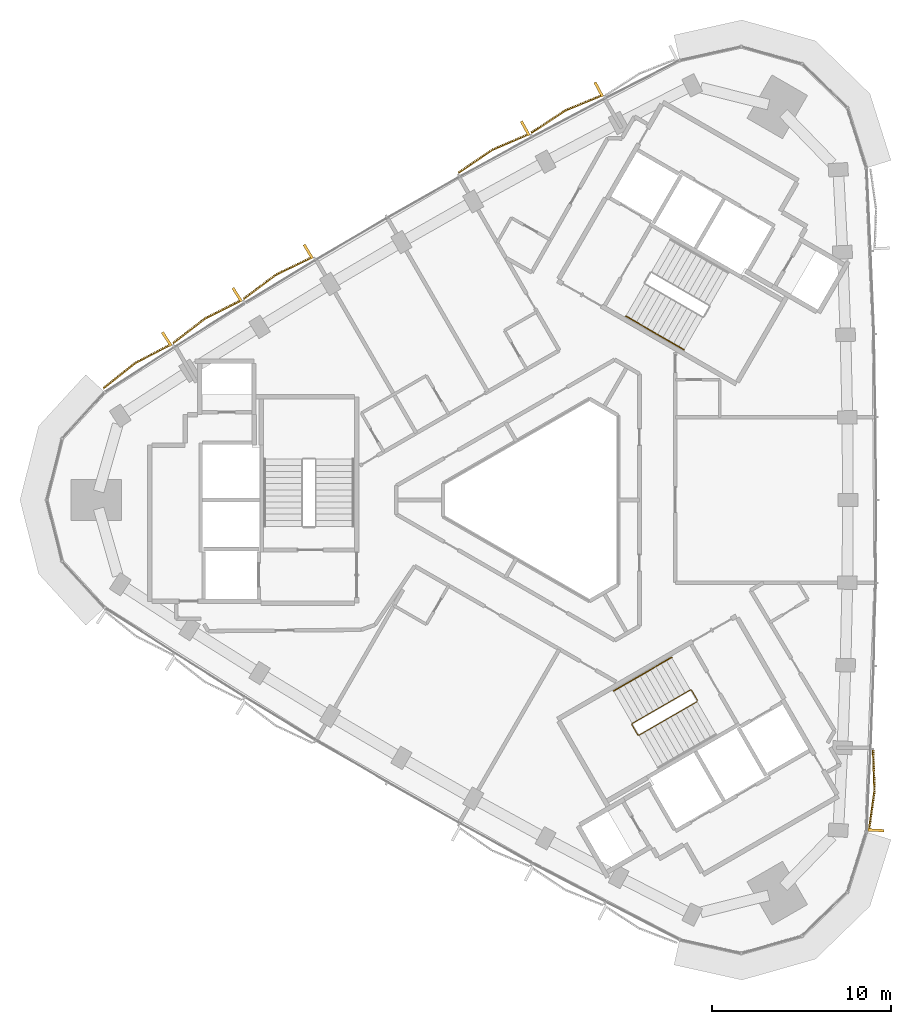
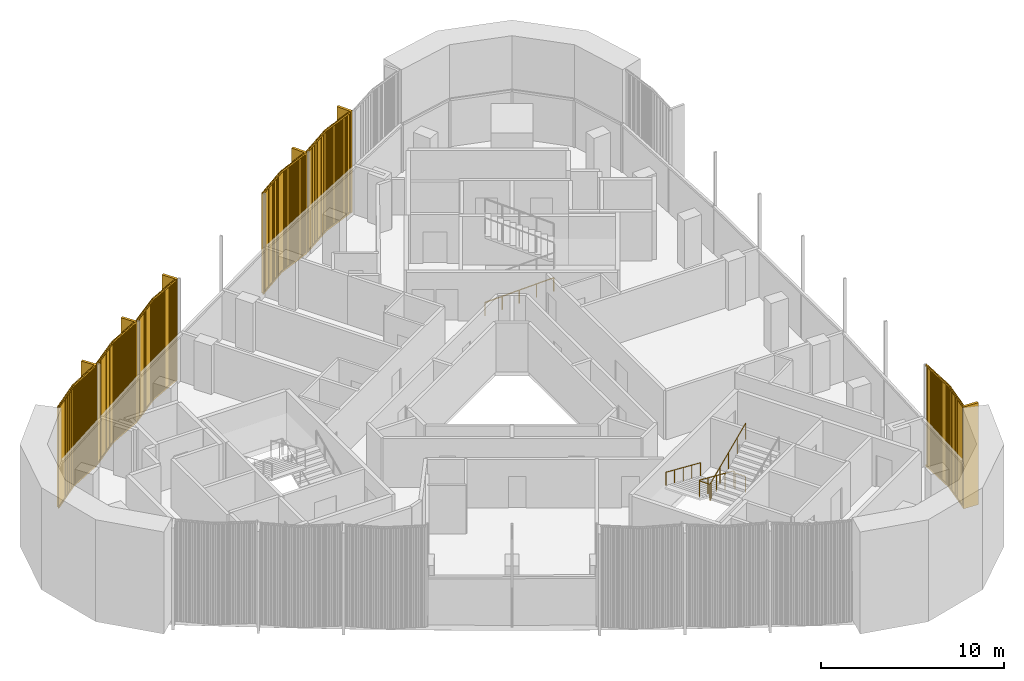
# One storey, part 13 of 14: 6 coverings, 3 railings.
"""IFC4 building model written with IfcOpenShell, lengths in metres."""

from ifc_helpers import new_model, si_unit, direction, frame, frame_2d, origin, origin_2d, place, context, subcontext, project, spatial, rectangle, circle, extrude, source, transform, mapped, material, type_object, element, save


model = new_model("IFC4")

# Units and contexts
model_context = context("Model", 3, precision=1e-05, world=origin(), true_north=direction((0.0, 1.0)))
body_context = subcontext(model_context, "Body", "Model", "MODEL_VIEW")
ifc_project = project(units=[si_unit("LENGTHUNIT", "METRE"), si_unit("AREAUNIT", "SQUARE_METRE"), si_unit("VOLUMEUNIT", "CUBIC_METRE"), si_unit("PLANEANGLEUNIT", "RADIAN"), si_unit("MASSUNIT", "GRAM", prefix="KILO")], contexts=[model_context])

# Site, building, storey
site_placement = place(None, origin())
site = spatial("IfcSite", under=ifc_project, at=site_placement, CompositionType="ELEMENT")
building_placement = place(site_placement, origin())
building = spatial("IfcBuilding", under=site, at=building_placement, Name="Tamra Quay Hotel Tower", CompositionType="ELEMENT")
storey_placement = place(building_placement, frame((0.0, 0.0, 250.199951171875)))
storey = spatial("IfcBuildingStorey", under=building, at=storey_placement, Name="L63", CompositionType="ELEMENT", Elevation=250.199951171875)

# Railings
ifc_material_1 = material(Name="Stair guard 1100")
railing_type_1 = type_object("IfcRailingType", Name="Stair guard 1100", PredefinedType="GUARDRAIL", material=ifc_material_1)
railing_1_placement = place(storey_placement, frame((8.245849609375, -11.221923828125, 0.0)))
element("IfcRailing", 1, at=railing_1_placement, inside=storey, type_object=railing_type_1, Name="GR", PredefinedType="GUARDRAIL", context=body_context, shape_type="SweptSolid", body=[
    extrude(circle(Radius=0.02392578125, at=origin_2d()), frame((0.0, 0.0, 1.076171875), z_axis=(-0.500043078269, 0.866000531106, 0.0), x_axis=(-0.866000531106, -0.500043078269, 0.0)), (0.0, 0.0, 1.0), 0.6591796875),
    extrude(circle(Radius=0.02392578125, at=origin_2d()), frame((-0.32958984375, 0.57080078125, 1.076171875), z_axis=(-0.411831509231, 0.110312011401, 0.90455849349), x_axis=(-0.258736085224, -0.965948051503, 0.0)), (0.0, 0.0, 1.0), 0.166015625),
    extrude(circle(Radius=0.02392578125, at=origin_2d()), frame((-0.39794921875, 0.589111328125, 1.22607421875), z_axis=(-0.793100512587, -0.457912285461, 0.401631567183), x_axis=(0.500012686397, -0.866018079166, 0.0)), (0.0, 0.0, 1.0), 4.10791015625),
    extrude(circle(Radius=0.02392578125, at=origin_2d()), frame((-3.656005859375, -1.2919921875, 2.8759765625), z_axis=(-0.256368644879, -0.966579080015, 0.0), x_axis=(0.966579080015, -0.256368644879, 0.0)), (0.0, 0.0, 1.0), 0.070556640625),
    extrude(circle(Radius=0.02392578125, at=origin_2d()), frame((-3.674072265625, -1.360107421875, 2.8759765625), z_axis=(0.499765215335, -0.866160914346, 0.0), x_axis=(0.866160914346, 0.499765215335, 0.0)), (0.0, 0.0, 1.0), 0.658935546875),
    extrude(circle(Radius=0.02392578125, at=origin_2d()), frame((-3.3447265625, -1.930908203125, 2.8759765625), z_axis=(0.41238007866, -0.110458949641, 0.904290601062), x_axis=(0.258736085224, 0.965948051503, 0.0)), (0.0, 0.0, 1.0), 0.165771484375),
    extrude(circle(Radius=0.02392578125, at=origin_2d()), frame((-3.2763671875, -1.94921875, 3.02587890625), z_axis=(0.793081581205, 0.457901355053, 0.401681409319), x_axis=(-0.500012686397, 0.866018079166, 0.0)), (0.0, 0.0, 1.0), 4.108154296875),
    extrude(circle(Radius=0.02099609375, at=origin_2d()), origin(), (0.0, 0.0, 1.0), 1.052001953125),
    extrude(circle(Radius=0.02099609375, at=origin_2d()), frame((-0.32958984375, 0.57080078125, 0.0)), (0.0, 0.0, 1.0), 1.052001953125),
    extrude(circle(Radius=0.02099609375, at=origin_2d()), frame((-0.39794921875, 0.589111328125, 0.150146484375)), (0.0, 0.0, 1.0), 1.052001953125),
    extrude(circle(Radius=0.02099609375, at=origin_2d()), frame((-1.21240234375, 0.118896484375, 0.5625)), (0.0, 0.0, 1.0), 1.052001953125),
    extrude(circle(Radius=0.02099609375, at=origin_2d()), frame((-2.02685546875, -0.3515625, 0.97509765625)), (0.0, 0.0, 1.0), 1.052001953125),
    extrude(circle(Radius=0.02099609375, at=origin_2d()), frame((-2.841552734375, -0.82177734375, 1.3876953125)), (0.0, 0.0, 1.0), 1.052001953125),
    extrude(circle(Radius=0.02099609375, at=origin_2d()), frame((-3.656005859375, -1.2919921875, 1.800048828125)), (0.0, 0.0, 1.0), 1.052001953125),
    extrude(circle(Radius=0.02099609375, at=origin_2d()), frame((-3.674072265625, -1.360107421875, 1.800048828125)), (0.0, 0.0, 1.0), 1.052001953125),
    extrude(circle(Radius=0.02099609375, at=origin_2d()), frame((-3.3447265625, -1.930908203125, 1.800048828125)), (0.0, 0.0, 1.0), 1.052001953125),
    extrude(circle(Radius=0.02099609375, at=origin_2d()), frame((-3.2763671875, -1.94921875, 1.949951171875)), (0.0, 0.0, 1.0), 1.052001953125),
    extrude(circle(Radius=0.02099609375, at=origin_2d()), frame((-2.4619140625, -1.47900390625, 2.362548828125)), (0.0, 0.0, 1.0), 1.052001953125),
    extrude(circle(Radius=0.02099609375, at=origin_2d()), frame((-1.6474609375, -1.0087890625, 2.77490234375)), (0.0, 0.0, 1.0), 1.052001953125),
    extrude(circle(Radius=0.02099609375, at=origin_2d()), frame((-0.832763671875, -0.538330078125, 3.1875)), (0.0, 0.0, 1.0), 1.052001953125),
    extrude(circle(Radius=0.02099609375, at=origin_2d()), frame((-0.018310546875, -0.068115234375, 3.60009765625)), (0.0, 0.0, 1.0), 1.052001953125),
])
ifc_material_2 = material(Name="Stair handrail 900")
railing_type_2 = type_object("IfcRailingType", Name="Stair handrail 900", PredefinedType="HANDRAIL", material=ifc_material_2)
railing_2_placement = place(storey_placement, frame((4.234375, 10.294189453125, 0.150146484375)))
element("IfcRailing", 2, at=railing_2_placement, inside=storey, type_object=railing_type_2, Name="HR", PredefinedType="HANDRAIL", context=body_context, shape_type="SweptSolid", body=[
    extrude(circle(Radius=0.02392578125, at=origin_2d()), frame((0.0, 0.0, 0.8759765625), z_axis=(0.793122095483, -0.45786531462, 0.401642496911), x_axis=(0.499964013922, 0.86604617936, 0.0)), (0.0, 0.0, 1.0), 4.10791015625),
    extrude(circle(Radius=0.02099609375, at=origin_2d()), origin(), (0.0, 0.0, 1.0), 0.851806640625),
    extrude(circle(Radius=0.02099609375, at=origin_2d()), frame((0.814453125, -0.47021484375, 0.41259765625)), (0.0, 0.0, 1.0), 0.851806640625),
    extrude(circle(Radius=0.02099609375, at=origin_2d()), frame((1.62890625, -0.9404296875, 0.824951171875)), (0.0, 0.0, 1.0), 0.851806640625),
    extrude(circle(Radius=0.02099609375, at=origin_2d()), frame((2.443603515625, -1.41064453125, 1.2373046875)), (0.0, 0.0, 1.0), 0.851806640625),
    extrude(circle(Radius=0.02099609375, at=origin_2d()), frame((3.258056640625, -1.880859375, 1.64990234375)), (0.0, 0.0, 1.0), 0.851806640625),
])
railing_3_placement = place(storey_placement, frame((6.7978515625, -8.814208984375, 0.150146484375)))
element("IfcRailing", 3, at=railing_3_placement, inside=storey, type_object=railing_type_2, Name="HR", PredefinedType="HANDRAIL", context=body_context, shape_type="SweptSolid", body=[
    extrude(circle(Radius=0.02392578125, at=origin_2d()), frame((0.0, 0.0, 0.8759765625), z_axis=(-0.79310004713, -0.457886897714, 0.401661429744), x_axis=(0.499992114976, -0.866029956157, 0.0)), (0.0, 0.0, 1.0), 4.107666015625),
    extrude(circle(Radius=0.02099609375, at=origin_2d()), origin(), (0.0, 0.0, 1.0), 0.851806640625),
    extrude(circle(Radius=0.02099609375, at=origin_2d()), frame((-0.814453125, -0.47021484375, 0.41259765625)), (0.0, 0.0, 1.0), 0.851806640625),
    extrude(circle(Radius=0.02099609375, at=origin_2d()), frame((-1.62890625, -0.9404296875, 0.824951171875)), (0.0, 0.0, 1.0), 0.851806640625),
    extrude(circle(Radius=0.02099609375, at=origin_2d()), frame((-2.443359375, -1.41064453125, 1.2373046875)), (0.0, 0.0, 1.0), 0.851806640625),
    extrude(circle(Radius=0.02099609375, at=origin_2d()), frame((-3.2578125, -1.880859375, 1.64990234375)), (0.0, 0.0, 1.0), 0.851806640625),
])

# Coverings
ifc_material_3 = material(Name="Terracotta baguette extruded", Category="masonry")
covering_type_1 = type_object("IfcCoveringType", Name="BAGUETTE SCREEN E-V H6800", PredefinedType="USERDEFINED", material=ifc_material_3)
shared_shape_1 = source(origin(), body_context, "Body", "SweptSolid", [
    extrude(rectangle(XDim=2.291259765625, YDim=0.06005859375, at=frame_2d((1.1455078125, 0.030029296875))), frame((-2.287841796875, -0.057861328125, -0.1201171875), z_axis=(0.0, 0.0, 1.0), x_axis=(0.996194698092, -0.087155742748, 0.0)), (0.0, 0.0, 1.0), 0.1201171875),
    extrude(rectangle(XDim=2.291259765625, YDim=0.06005859375, at=frame_2d((1.1455078125, 0.030029296875))), frame((-2.287841796875, -0.057861328125, -6.800048828125), z_axis=(0.0, 0.0, 1.0), x_axis=(0.996194698092, -0.087155742748, 0.0)), (0.0, 0.0, 1.0), 0.1201171875),
    extrude(rectangle(XDim=0.070068359375, YDim=0.10009765625, at=frame_2d((0.03515625, 0.050048828125))), frame((-2.267822265625, -0.13232421875, -6.739990234375)), (0.0, 0.0, 1.0), 6.679931640625),
    extrude(rectangle(XDim=0.070068359375, YDim=0.10009765625, at=frame_2d((0.03515625, 0.050048828125))), frame((-2.168701171875, -0.14111328125, -6.739990234375)), (0.0, 0.0, 1.0), 6.679931640625),
    extrude(rectangle(XDim=0.070068359375, YDim=0.10009765625, at=frame_2d((0.03515625, 0.050048828125))), frame((-2.0693359375, -0.149658203125, -6.739990234375)), (0.0, 0.0, 1.0), 6.679931640625),
    extrude(rectangle(XDim=0.070068359375, YDim=0.10009765625, at=frame_2d((0.03515625, 0.050048828125))), frame((-1.97021484375, -0.158447265625, -6.739990234375)), (0.0, 0.0, 1.0), 6.679931640625),
    extrude(rectangle(XDim=0.070068359375, YDim=0.10009765625, at=frame_2d((0.03515625, 0.050048828125))), frame((-1.870849609375, -0.1669921875, -6.739990234375)), (0.0, 0.0, 1.0), 6.679931640625),
    extrude(rectangle(XDim=0.070068359375, YDim=0.10009765625, at=frame_2d((0.03515625, 0.050048828125))), frame((-1.771728515625, -0.17578125, -6.739990234375)), (0.0, 0.0, 1.0), 6.679931640625),
    extrude(rectangle(XDim=0.070068359375, YDim=0.10009765625, at=frame_2d((0.03515625, 0.050048828125))), frame((-1.67236328125, -0.184326171875, -6.739990234375)), (0.0, 0.0, 1.0), 6.679931640625),
    extrude(rectangle(XDim=0.070068359375, YDim=0.10009765625, at=frame_2d((0.03515625, 0.050048828125))), frame((-1.5732421875, -0.193115234375, -6.739990234375)), (0.0, 0.0, 1.0), 6.679931640625),
    extrude(rectangle(XDim=0.070068359375, YDim=0.10009765625, at=frame_2d((0.03515625, 0.050048828125))), frame((-1.473876953125, -0.201904296875, -6.739990234375)), (0.0, 0.0, 1.0), 6.679931640625),
    extrude(rectangle(XDim=0.070068359375, YDim=0.10009765625, at=frame_2d((0.03515625, 0.050048828125))), frame((-1.374755859375, -0.21044921875, -6.739990234375)), (0.0, 0.0, 1.0), 6.679931640625),
    extrude(rectangle(XDim=0.070068359375, YDim=0.10009765625, at=frame_2d((0.03515625, 0.050048828125))), frame((-1.275390625, -0.21923828125, -6.739990234375)), (0.0, 0.0, 1.0), 6.679931640625),
    extrude(rectangle(XDim=0.070068359375, YDim=0.10009765625, at=frame_2d((0.03515625, 0.050048828125))), frame((-1.17626953125, -0.227783203125, -6.739990234375)), (0.0, 0.0, 1.0), 6.679931640625),
    extrude(rectangle(XDim=0.070068359375, YDim=0.10009765625, at=frame_2d((0.03515625, 0.050048828125))), frame((-1.076904296875, -0.236572265625, -6.739990234375)), (0.0, 0.0, 1.0), 6.679931640625),
    extrude(rectangle(XDim=0.070068359375, YDim=0.10009765625, at=frame_2d((0.03515625, 0.050048828125))), frame((-0.977783203125, -0.2451171875, -6.739990234375)), (0.0, 0.0, 1.0), 6.679931640625),
    extrude(rectangle(XDim=0.070068359375, YDim=0.10009765625, at=frame_2d((0.03515625, 0.050048828125))), frame((-0.87841796875, -0.25390625, -6.739990234375)), (0.0, 0.0, 1.0), 6.679931640625),
    extrude(rectangle(XDim=0.070068359375, YDim=0.10009765625, at=frame_2d((0.03515625, 0.050048828125))), frame((-0.779296875, -0.2626953125, -6.739990234375)), (0.0, 0.0, 1.0), 6.679931640625),
    extrude(rectangle(XDim=0.070068359375, YDim=0.10009765625, at=frame_2d((0.03515625, 0.050048828125))), frame((-0.679931640625, -0.271240234375, -6.739990234375)), (0.0, 0.0, 1.0), 6.679931640625),
    extrude(rectangle(XDim=0.070068359375, YDim=0.10009765625, at=frame_2d((0.03515625, 0.050048828125))), frame((-0.580810546875, -0.280029296875, -6.739990234375)), (0.0, 0.0, 1.0), 6.679931640625),
    extrude(rectangle(XDim=0.070068359375, YDim=0.10009765625, at=frame_2d((0.03515625, 0.050048828125))), frame((-0.481689453125, -0.28857421875, -6.739990234375)), (0.0, 0.0, 1.0), 6.679931640625),
    extrude(rectangle(XDim=0.070068359375, YDim=0.10009765625, at=frame_2d((0.03515625, 0.050048828125))), frame((-0.38232421875, -0.29736328125, -6.739990234375)), (0.0, 0.0, 1.0), 6.679931640625),
    extrude(rectangle(XDim=0.070068359375, YDim=0.10009765625, at=frame_2d((0.03515625, 0.050048828125))), frame((-0.283203125, -0.305908203125, -6.739990234375)), (0.0, 0.0, 1.0), 6.679931640625),
    extrude(rectangle(XDim=0.070068359375, YDim=0.10009765625, at=frame_2d((0.03515625, 0.050048828125))), frame((-0.183837890625, -0.314697265625, -6.739990234375)), (0.0, 0.0, 1.0), 6.679931640625),
    extrude(rectangle(XDim=0.070068359375, YDim=0.10009765625, at=frame_2d((0.03515625, 0.050048828125))), frame((-0.084716796875, -0.3232421875, -6.739990234375)), (0.0, 0.0, 1.0), 6.679931640625),
    extrude(rectangle(XDim=2.291259765625, YDim=0.06005859375, at=frame_2d((1.1455078125, 0.030029296875))), frame((0.005126953125, -0.257568359375, -0.1201171875), z_axis=(0.0, 0.0, 1.0), x_axis=(0.996194698092, 0.087155742748, 0.0)), (0.0, 0.0, 1.0), 0.1201171875),
    extrude(rectangle(XDim=2.291259765625, YDim=0.06005859375, at=frame_2d((1.1455078125, 0.030029296875))), frame((0.005126953125, -0.257568359375, -6.800048828125), z_axis=(0.0, 0.0, 1.0), x_axis=(0.996194698092, 0.087155742748, 0.0)), (0.0, 0.0, 1.0), 0.1201171875),
    extrude(rectangle(XDim=0.070068359375, YDim=0.10009765625, at=frame_2d((0.03515625, 0.050048828125))), frame((0.0146484375, -0.3232421875, -6.739990234375)), (0.0, 0.0, 1.0), 6.679931640625),
    extrude(rectangle(XDim=0.070068359375, YDim=0.10009765625, at=frame_2d((0.03515625, 0.050048828125))), frame((0.11376953125, -0.314697265625, -6.739990234375)), (0.0, 0.0, 1.0), 6.679931640625),
    extrude(rectangle(XDim=0.070068359375, YDim=0.10009765625, at=frame_2d((0.03515625, 0.050048828125))), frame((0.213134765625, -0.305908203125, -6.739990234375)), (0.0, 0.0, 1.0), 6.679931640625),
    extrude(rectangle(XDim=0.070068359375, YDim=0.10009765625, at=frame_2d((0.03515625, 0.050048828125))), frame((0.312255859375, -0.29736328125, -6.739990234375)), (0.0, 0.0, 1.0), 6.679931640625),
    extrude(rectangle(XDim=0.070068359375, YDim=0.10009765625, at=frame_2d((0.03515625, 0.050048828125))), frame((0.41162109375, -0.28857421875, -6.739990234375)), (0.0, 0.0, 1.0), 6.679931640625),
    extrude(rectangle(XDim=0.070068359375, YDim=0.10009765625, at=frame_2d((0.03515625, 0.050048828125))), frame((0.5107421875, -0.280029296875, -6.739990234375)), (0.0, 0.0, 1.0), 6.679931640625),
    extrude(rectangle(XDim=0.070068359375, YDim=0.10009765625, at=frame_2d((0.03515625, 0.050048828125))), frame((0.610107421875, -0.271240234375, -6.739990234375)), (0.0, 0.0, 1.0), 6.679931640625),
    extrude(rectangle(XDim=0.070068359375, YDim=0.10009765625, at=frame_2d((0.03515625, 0.050048828125))), frame((0.709228515625, -0.2626953125, -6.739990234375)), (0.0, 0.0, 1.0), 6.679931640625),
    extrude(rectangle(XDim=0.070068359375, YDim=0.10009765625, at=frame_2d((0.03515625, 0.050048828125))), frame((0.80859375, -0.25390625, -6.739990234375)), (0.0, 0.0, 1.0), 6.679931640625),
    extrude(rectangle(XDim=0.070068359375, YDim=0.10009765625, at=frame_2d((0.03515625, 0.050048828125))), frame((0.90771484375, -0.2451171875, -6.739990234375)), (0.0, 0.0, 1.0), 6.679931640625),
    extrude(rectangle(XDim=0.070068359375, YDim=0.10009765625, at=frame_2d((0.03515625, 0.050048828125))), frame((1.007080078125, -0.236572265625, -6.739990234375)), (0.0, 0.0, 1.0), 6.679931640625),
    extrude(rectangle(XDim=0.070068359375, YDim=0.10009765625, at=frame_2d((0.03515625, 0.050048828125))), frame((1.106201171875, -0.227783203125, -6.739990234375)), (0.0, 0.0, 1.0), 6.679931640625),
    extrude(rectangle(XDim=0.070068359375, YDim=0.10009765625, at=frame_2d((0.03515625, 0.050048828125))), frame((1.20556640625, -0.21923828125, -6.739990234375)), (0.0, 0.0, 1.0), 6.679931640625),
    extrude(rectangle(XDim=0.070068359375, YDim=0.10009765625, at=frame_2d((0.03515625, 0.050048828125))), frame((1.3046875, -0.21044921875, -6.739990234375)), (0.0, 0.0, 1.0), 6.679931640625),
    extrude(rectangle(XDim=0.070068359375, YDim=0.10009765625, at=frame_2d((0.03515625, 0.050048828125))), frame((1.404052734375, -0.201904296875, -6.739990234375)), (0.0, 0.0, 1.0), 6.679931640625),
    extrude(rectangle(XDim=0.070068359375, YDim=0.10009765625, at=frame_2d((0.03515625, 0.050048828125))), frame((1.503173828125, -0.193115234375, -6.739990234375)), (0.0, 0.0, 1.0), 6.679931640625),
    extrude(rectangle(XDim=0.070068359375, YDim=0.10009765625, at=frame_2d((0.03515625, 0.050048828125))), frame((1.6025390625, -0.184326171875, -6.739990234375)), (0.0, 0.0, 1.0), 6.679931640625),
    extrude(rectangle(XDim=0.070068359375, YDim=0.10009765625, at=frame_2d((0.03515625, 0.050048828125))), frame((1.70166015625, -0.17578125, -6.739990234375)), (0.0, 0.0, 1.0), 6.679931640625),
    extrude(rectangle(XDim=0.070068359375, YDim=0.10009765625, at=frame_2d((0.03515625, 0.050048828125))), frame((1.801025390625, -0.1669921875, -6.739990234375)), (0.0, 0.0, 1.0), 6.679931640625),
    extrude(rectangle(XDim=0.070068359375, YDim=0.10009765625, at=frame_2d((0.03515625, 0.050048828125))), frame((1.900146484375, -0.158447265625, -6.739990234375)), (0.0, 0.0, 1.0), 6.679931640625),
    extrude(rectangle(XDim=0.070068359375, YDim=0.10009765625, at=frame_2d((0.03515625, 0.050048828125))), frame((1.99951171875, -0.149658203125, -6.739990234375)), (0.0, 0.0, 1.0), 6.679931640625),
    extrude(rectangle(XDim=0.070068359375, YDim=0.10009765625, at=frame_2d((0.03515625, 0.050048828125))), frame((2.0986328125, -0.14111328125, -6.739990234375)), (0.0, 0.0, 1.0), 6.679931640625),
    extrude(rectangle(XDim=0.070068359375, YDim=0.10009765625, at=frame_2d((0.03515625, 0.050048828125))), frame((2.197998046875, -0.13232421875, -6.739990234375)), (0.0, 0.0, 1.0), 6.679931640625),
    extrude(rectangle(XDim=0.14990234375, YDim=0.902099609375, at=frame_2d((0.074951171875, 0.451171875))), frame((-2.282470703125, -0.89990234375, -6.800048828125)), (0.0, 0.0, 1.0), 6.800048828125),
])
covering_placement = place(storey_placement, frame((17.899169921875, -16.26611328125, 6.800048828125), z_axis=(0.0, 0.0, 1.0), x_axis=(0.051403368539, 0.998677972974, 0.0)))
element("IfcCovering", 4, at=covering_placement, inside=storey, type_object=covering_type_1, Name="Baguette screen L63.E.f00", ObjectType="BAGUETTE SCREEN", PredefinedType="USERDEFINED", context=body_context, shape_type="MappedRepresentation", body=[
    mapped(shared_shape_1, transform((0.0, 0.0, 0.0), scale=1.0)),
])
covering_type_2 = type_object("IfcCoveringType", Name="BAGUETTE SCREEN NW-V H6800", PredefinedType="USERDEFINED", material=ifc_material_3)
shared_shape_2 = source(origin(), body_context, "Body", "SweptSolid", [
    extrude(rectangle(XDim=2.29296875, YDim=0.06005859375, at=frame_2d((1.146484375, 0.030029296875))), frame((-2.288330078125, -0.0576171875, -0.1201171875), z_axis=(0.0, 0.0, 1.0), x_axis=(0.995396198367, -0.09584575252, 0.0)), (0.0, 0.0, 1.0), 0.1201171875),
    extrude(rectangle(XDim=2.29296875, YDim=0.06005859375, at=frame_2d((1.146484375, 0.030029296875))), frame((-2.288330078125, -0.0576171875, -6.800048828125), z_axis=(0.0, 0.0, 1.0), x_axis=(0.995396198367, -0.09584575252, 0.0)), (0.0, 0.0, 1.0), 0.1201171875),
    extrude(rectangle(XDim=0.070068359375, YDim=0.10009765625, at=frame_2d((0.03515625, 0.050048828125))), frame((-2.267822265625, -0.1328125, -6.739990234375)), (0.0, 0.0, 1.0), 6.679931640625),
    extrude(rectangle(XDim=0.070068359375, YDim=0.10009765625, at=frame_2d((0.03515625, 0.050048828125))), frame((-2.168701171875, -0.142333984375, -6.739990234375)), (0.0, 0.0, 1.0), 6.679931640625),
    extrude(rectangle(XDim=0.070068359375, YDim=0.10009765625, at=frame_2d((0.03515625, 0.050048828125))), frame((-2.0693359375, -0.15185546875, -6.739990234375)), (0.0, 0.0, 1.0), 6.679931640625),
    extrude(rectangle(XDim=0.070068359375, YDim=0.10009765625, at=frame_2d((0.03515625, 0.050048828125))), frame((-1.97021484375, -0.161376953125, -6.739990234375)), (0.0, 0.0, 1.0), 6.679931640625),
    extrude(rectangle(XDim=0.070068359375, YDim=0.10009765625, at=frame_2d((0.03515625, 0.050048828125))), frame((-1.870849609375, -0.1708984375, -6.739990234375)), (0.0, 0.0, 1.0), 6.679931640625),
    extrude(rectangle(XDim=0.070068359375, YDim=0.10009765625, at=frame_2d((0.03515625, 0.050048828125))), frame((-1.771728515625, -0.1806640625, -6.739990234375)), (0.0, 0.0, 1.0), 6.679931640625),
    extrude(rectangle(XDim=0.070068359375, YDim=0.10009765625, at=frame_2d((0.03515625, 0.050048828125))), frame((-1.67236328125, -0.190185546875, -6.739990234375)), (0.0, 0.0, 1.0), 6.679931640625),
    extrude(rectangle(XDim=0.070068359375, YDim=0.10009765625, at=frame_2d((0.03515625, 0.050048828125))), frame((-1.5732421875, -0.19970703125, -6.739990234375)), (0.0, 0.0, 1.0), 6.679931640625),
    extrude(rectangle(XDim=0.070068359375, YDim=0.10009765625, at=frame_2d((0.03515625, 0.050048828125))), frame((-1.473876953125, -0.209228515625, -6.739990234375)), (0.0, 0.0, 1.0), 6.679931640625),
    extrude(rectangle(XDim=0.070068359375, YDim=0.10009765625, at=frame_2d((0.03515625, 0.050048828125))), frame((-1.374755859375, -0.21875, -6.739990234375)), (0.0, 0.0, 1.0), 6.679931640625),
    extrude(rectangle(XDim=0.070068359375, YDim=0.10009765625, at=frame_2d((0.03515625, 0.050048828125))), frame((-1.275390625, -0.228271484375, -6.739990234375)), (0.0, 0.0, 1.0), 6.679931640625),
    extrude(rectangle(XDim=0.070068359375, YDim=0.10009765625, at=frame_2d((0.03515625, 0.050048828125))), frame((-1.17626953125, -0.23779296875, -6.739990234375)), (0.0, 0.0, 1.0), 6.679931640625),
    extrude(rectangle(XDim=0.070068359375, YDim=0.10009765625, at=frame_2d((0.03515625, 0.050048828125))), frame((-1.076904296875, -0.24755859375, -6.739990234375)), (0.0, 0.0, 1.0), 6.679931640625),
    extrude(rectangle(XDim=0.070068359375, YDim=0.10009765625, at=frame_2d((0.03515625, 0.050048828125))), frame((-0.977783203125, -0.257080078125, -6.739990234375)), (0.0, 0.0, 1.0), 6.679931640625),
    extrude(rectangle(XDim=0.070068359375, YDim=0.10009765625, at=frame_2d((0.03515625, 0.050048828125))), frame((-0.87841796875, -0.2666015625, -6.739990234375)), (0.0, 0.0, 1.0), 6.679931640625),
    extrude(rectangle(XDim=0.070068359375, YDim=0.10009765625, at=frame_2d((0.03515625, 0.050048828125))), frame((-0.779296875, -0.276123046875, -6.739990234375)), (0.0, 0.0, 1.0), 6.679931640625),
    extrude(rectangle(XDim=0.070068359375, YDim=0.10009765625, at=frame_2d((0.03515625, 0.050048828125))), frame((-0.679931640625, -0.28564453125, -6.739990234375)), (0.0, 0.0, 1.0), 6.679931640625),
    extrude(rectangle(XDim=0.070068359375, YDim=0.10009765625, at=frame_2d((0.03515625, 0.050048828125))), frame((-0.580810546875, -0.295166015625, -6.739990234375)), (0.0, 0.0, 1.0), 6.679931640625),
    extrude(rectangle(XDim=0.070068359375, YDim=0.10009765625, at=frame_2d((0.03515625, 0.050048828125))), frame((-0.481689453125, -0.3046875, -6.739990234375)), (0.0, 0.0, 1.0), 6.679931640625),
    extrude(rectangle(XDim=0.070068359375, YDim=0.10009765625, at=frame_2d((0.03515625, 0.050048828125))), frame((-0.38232421875, -0.314453125, -6.739990234375)), (0.0, 0.0, 1.0), 6.679931640625),
    extrude(rectangle(XDim=0.070068359375, YDim=0.10009765625, at=frame_2d((0.03515625, 0.050048828125))), frame((-0.283203125, -0.323974609375, -6.739990234375)), (0.0, 0.0, 1.0), 6.679931640625),
    extrude(rectangle(XDim=0.070068359375, YDim=0.10009765625, at=frame_2d((0.03515625, 0.050048828125))), frame((-0.183837890625, -0.33349609375, -6.739990234375)), (0.0, 0.0, 1.0), 6.679931640625),
    extrude(rectangle(XDim=0.070068359375, YDim=0.10009765625, at=frame_2d((0.03515625, 0.050048828125))), frame((-0.084716796875, -0.343017578125, -6.739990234375)), (0.0, 0.0, 1.0), 6.679931640625),
    extrude(rectangle(XDim=2.29296875, YDim=0.06005859375, at=frame_2d((1.146484375, 0.030029296875))), frame((0.005859375, -0.277587890625, -0.1201171875), z_axis=(0.0, 0.0, 1.0), x_axis=(0.995396198367, 0.09584575252, 0.0)), (0.0, 0.0, 1.0), 0.1201171875),
    extrude(rectangle(XDim=2.29296875, YDim=0.06005859375, at=frame_2d((1.146484375, 0.030029296875))), frame((0.005859375, -0.277587890625, -6.800048828125), z_axis=(0.0, 0.0, 1.0), x_axis=(0.995396198367, 0.09584575252, 0.0)), (0.0, 0.0, 1.0), 0.1201171875),
    extrude(rectangle(XDim=0.070068359375, YDim=0.10009765625, at=frame_2d((0.03515625, 0.050048828125))), frame((0.0146484375, -0.343017578125, -6.739990234375)), (0.0, 0.0, 1.0), 6.679931640625),
    extrude(rectangle(XDim=0.070068359375, YDim=0.10009765625, at=frame_2d((0.03515625, 0.050048828125))), frame((0.11376953125, -0.33349609375, -6.739990234375)), (0.0, 0.0, 1.0), 6.679931640625),
    extrude(rectangle(XDim=0.070068359375, YDim=0.10009765625, at=frame_2d((0.03515625, 0.050048828125))), frame((0.213134765625, -0.323974609375, -6.739990234375)), (0.0, 0.0, 1.0), 6.679931640625),
    extrude(rectangle(XDim=0.070068359375, YDim=0.10009765625, at=frame_2d((0.03515625, 0.050048828125))), frame((0.312255859375, -0.314453125, -6.739990234375)), (0.0, 0.0, 1.0), 6.679931640625),
    extrude(rectangle(XDim=0.070068359375, YDim=0.10009765625, at=frame_2d((0.03515625, 0.050048828125))), frame((0.41162109375, -0.3046875, -6.739990234375)), (0.0, 0.0, 1.0), 6.679931640625),
    extrude(rectangle(XDim=0.070068359375, YDim=0.10009765625, at=frame_2d((0.03515625, 0.050048828125))), frame((0.5107421875, -0.295166015625, -6.739990234375)), (0.0, 0.0, 1.0), 6.679931640625),
    extrude(rectangle(XDim=0.070068359375, YDim=0.10009765625, at=frame_2d((0.03515625, 0.050048828125))), frame((0.610107421875, -0.28564453125, -6.739990234375)), (0.0, 0.0, 1.0), 6.679931640625),
    extrude(rectangle(XDim=0.070068359375, YDim=0.10009765625, at=frame_2d((0.03515625, 0.050048828125))), frame((0.709228515625, -0.276123046875, -6.739990234375)), (0.0, 0.0, 1.0), 6.679931640625),
    extrude(rectangle(XDim=0.070068359375, YDim=0.10009765625, at=frame_2d((0.03515625, 0.050048828125))), frame((0.80859375, -0.2666015625, -6.739990234375)), (0.0, 0.0, 1.0), 6.679931640625),
    extrude(rectangle(XDim=0.070068359375, YDim=0.10009765625, at=frame_2d((0.03515625, 0.050048828125))), frame((0.90771484375, -0.257080078125, -6.739990234375)), (0.0, 0.0, 1.0), 6.679931640625),
    extrude(rectangle(XDim=0.070068359375, YDim=0.10009765625, at=frame_2d((0.03515625, 0.050048828125))), frame((1.007080078125, -0.24755859375, -6.739990234375)), (0.0, 0.0, 1.0), 6.679931640625),
    extrude(rectangle(XDim=0.070068359375, YDim=0.10009765625, at=frame_2d((0.03515625, 0.050048828125))), frame((1.106201171875, -0.23779296875, -6.739990234375)), (0.0, 0.0, 1.0), 6.679931640625),
    extrude(rectangle(XDim=0.070068359375, YDim=0.10009765625, at=frame_2d((0.03515625, 0.050048828125))), frame((1.20556640625, -0.228271484375, -6.739990234375)), (0.0, 0.0, 1.0), 6.679931640625),
    extrude(rectangle(XDim=0.070068359375, YDim=0.10009765625, at=frame_2d((0.03515625, 0.050048828125))), frame((1.3046875, -0.21875, -6.739990234375)), (0.0, 0.0, 1.0), 6.679931640625),
    extrude(rectangle(XDim=0.070068359375, YDim=0.10009765625, at=frame_2d((0.03515625, 0.050048828125))), frame((1.404052734375, -0.209228515625, -6.739990234375)), (0.0, 0.0, 1.0), 6.679931640625),
    extrude(rectangle(XDim=0.070068359375, YDim=0.10009765625, at=frame_2d((0.03515625, 0.050048828125))), frame((1.503173828125, -0.19970703125, -6.739990234375)), (0.0, 0.0, 1.0), 6.679931640625),
    extrude(rectangle(XDim=0.070068359375, YDim=0.10009765625, at=frame_2d((0.03515625, 0.050048828125))), frame((1.6025390625, -0.190185546875, -6.739990234375)), (0.0, 0.0, 1.0), 6.679931640625),
    extrude(rectangle(XDim=0.070068359375, YDim=0.10009765625, at=frame_2d((0.03515625, 0.050048828125))), frame((1.70166015625, -0.1806640625, -6.739990234375)), (0.0, 0.0, 1.0), 6.679931640625),
    extrude(rectangle(XDim=0.070068359375, YDim=0.10009765625, at=frame_2d((0.03515625, 0.050048828125))), frame((1.801025390625, -0.1708984375, -6.739990234375)), (0.0, 0.0, 1.0), 6.679931640625),
    extrude(rectangle(XDim=0.070068359375, YDim=0.10009765625, at=frame_2d((0.03515625, 0.050048828125))), frame((1.900146484375, -0.161376953125, -6.739990234375)), (0.0, 0.0, 1.0), 6.679931640625),
    extrude(rectangle(XDim=0.070068359375, YDim=0.10009765625, at=frame_2d((0.03515625, 0.050048828125))), frame((1.99951171875, -0.15185546875, -6.739990234375)), (0.0, 0.0, 1.0), 6.679931640625),
    extrude(rectangle(XDim=0.070068359375, YDim=0.10009765625, at=frame_2d((0.03515625, 0.050048828125))), frame((2.0986328125, -0.142333984375, -6.739990234375)), (0.0, 0.0, 1.0), 6.679931640625),
    extrude(rectangle(XDim=0.070068359375, YDim=0.10009765625, at=frame_2d((0.03515625, 0.050048828125))), frame((2.197998046875, -0.1328125, -6.739990234375)), (0.0, 0.0, 1.0), 6.679931640625),
    extrude(rectangle(XDim=0.14990234375, YDim=0.902099609375, at=frame_2d((0.074951171875, 0.451171875))), frame((-2.282470703125, -0.89990234375, -6.800048828125)), (0.0, 0.0, 1.0), 6.800048828125),
])
for number, where, z_axis, x_axis, name in (
    (5, (0.972412109375, 21.564208984375, 6.800048828125), (0.0, 0.0, 1.0), (-0.883812893566, -0.467840538183, 0.0), "Baguette screen L63.NW.f01"),
    (6, (-3.121826171875, 19.3583984375, 6.800048828125), (0.0, 0.0, 1.0), (-0.876846042151, -0.480771274479, 0.0), "Baguette screen L63.NW.f02"),
    (7, (-15.2041015625, 12.3828125, 6.800048828125), (0.0, 0.0, 1.0), (-0.854783158184, -0.518985310471, 0.0), "Baguette screen L63.NW.f05"),
    (8, (-19.161376953125, 9.940185546875, 6.800048828125), (0.0, 0.0, 1.0), (-0.847068237769, -0.531484148929, 0.0), "Baguette screen L63.NW.f06"),
    (9, (-23.082763671875, 7.439453125, 6.800048828125), (0.0, 0.0, 1.0), (-0.839178810526, -0.543855609481, 0.0), "Baguette screen L63.NW.f07"),
):
    element("IfcCovering", number, at=place(storey_placement, frame(where, z_axis=z_axis, x_axis=x_axis)), inside=storey, type_object=covering_type_2, Name=name, ObjectType="BAGUETTE SCREEN", PredefinedType="USERDEFINED", context=body_context, shape_type="MappedRepresentation", body=[
        mapped(shared_shape_2, transform((0.0, 0.0, 0.0), scale=1.0)),
    ])

save(model, "model.ifc")
